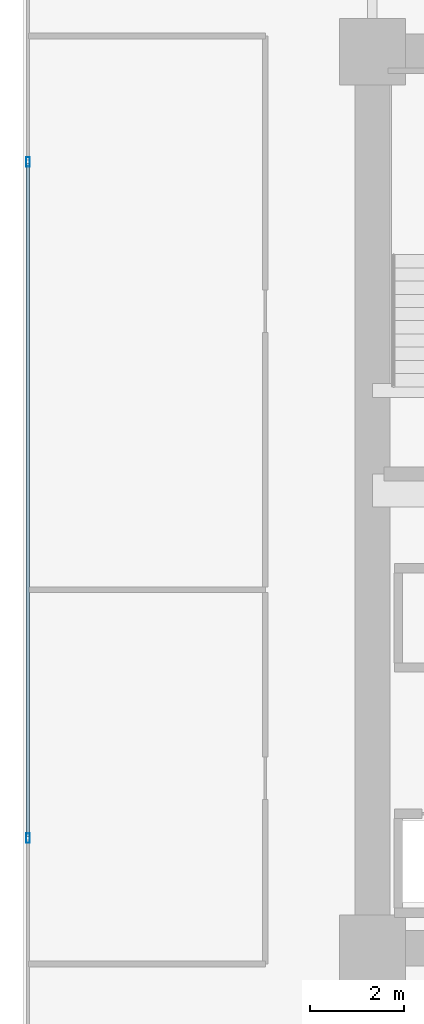
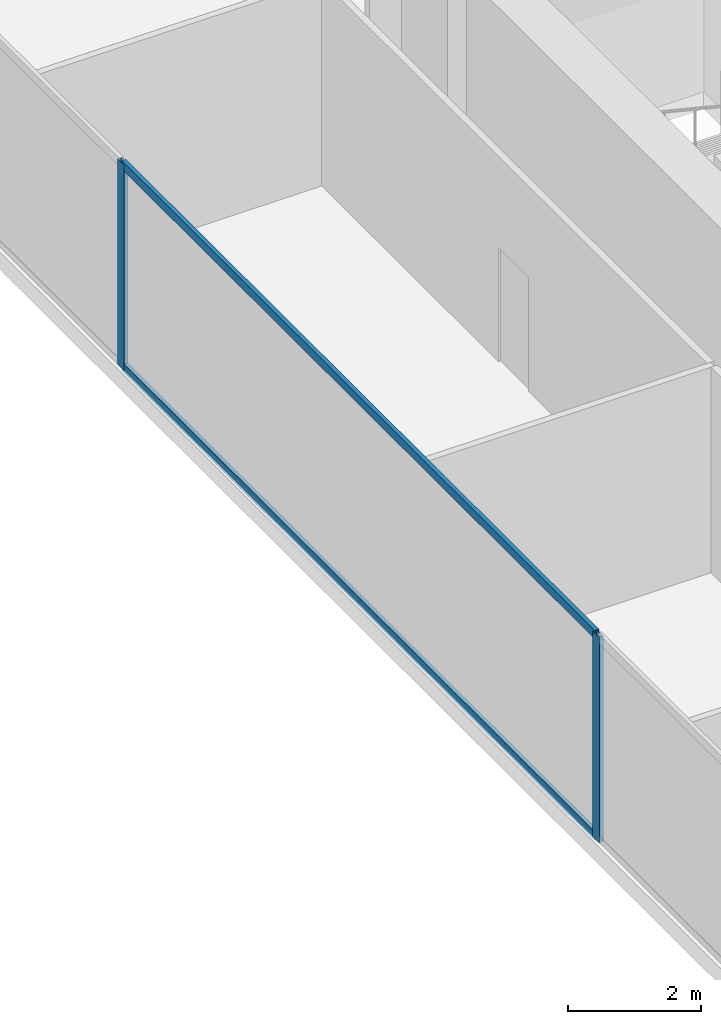
# One storey, part 6 of 36: 4 members, 1 element without a shape of its own.
"""IFC4 building model written with IfcOpenShell, lengths in metres."""

from ifc_helpers import new_model, si_unit, direction, frame, origin, origin_2d, place, context, subcontext, project, spatial, hollow_rectangle, extrude, source, transform, mapped, material, layer, layer_set, material_profile, profile_set, type_object, type_shapes, element, aggregate, save


model = new_model("IFC4")

# Units and contexts
model_context = context("Model", 3, precision=1e-05, world=origin(), true_north=direction((0.0, 1.0)))
body_context = subcontext(model_context, "Body", "Model", "MODEL_VIEW")
ifc_project = project(units=[si_unit("LENGTHUNIT", "METRE"), si_unit("AREAUNIT", "SQUARE_METRE"), si_unit("VOLUMEUNIT", "CUBIC_METRE"), si_unit("PLANEANGLEUNIT", "RADIAN"), si_unit("MASSUNIT", "GRAM", prefix="KILO")], contexts=[model_context])

# Site, building, storey
site_placement = place(None, origin())
site = spatial("IfcSite", under=ifc_project, at=site_placement, CompositionType="ELEMENT")
building_placement = place(site_placement, origin())
building = spatial("IfcBuilding", under=site, at=building_placement, Name="Haelvirn Gate Laboratories", CompositionType="ELEMENT")
storey_placement = place(building_placement, frame((0.0, 0.0, 29.300048828125)))
storey = spatial("IfcBuildingStorey", under=building, at=storey_placement, Name="L07", CompositionType="ELEMENT", Elevation=29.300048828125)

# Curtain wall, members
ifc_material_1 = material(Name="Anodised bronze unitised aluminium & triple low-E glass", Category="aluminium")
ifc_layer = layer(ifc_material_1, 0.18408203125, Name="CW-SYS-2")
ifc_layer_set = layer_set([ifc_layer], Name="Anodised bronze unitised aluminium & triple low-E glass")
curtain_wall_type = type_object("IfcCurtainWallType", Name="CW-SYS-2", PredefinedType="NOTDEFINED", material=ifc_layer_set)
curtain_wall_placement = place(storey_placement, origin())
curtain_wall = element("IfcCurtainWall", 1, at=curtain_wall_placement, inside=storey, type_object=curtain_wall_type, Name="L07 Unitised Curtain Wall CW-L07-P0-E17", PredefinedType="NOTDEFINED")
ifc_material_2 = material(Name="Extruded aluminium 6063-T6 (anodised bronze)", Category="aluminium")
ifc_material_profile_1 = material_profile(ifc_material_2, hollow_rectangle(XDim=0.074951171875, YDim=0.199951171875, WallThickness=0.0048828125, at=origin_2d()), Name="CWM-200x75x5")
ifc_profile_set_1 = profile_set([ifc_material_profile_1], Name="Extruded aluminium 6063-T6 (anodised bronze)")
member_type_1 = type_object("IfcMemberType", Name="CWM-T200", PredefinedType="MULLION", material=ifc_profile_set_1)
shared_shape_1 = source(origin(), body_context, "Body", "SweptSolid", [
    extrude(hollow_rectangle(XDim=0.074951171875, YDim=0.199951171875, WallThickness=0.0048828125, at=origin_2d()), origin(), (0.0, 0.0, 1.0), 3.780029296875),
])
type_shapes(member_type_1, [shared_shape_1])
member_1_placement = place(storey_placement, frame((0.10009765625, 31.466552734375, 0.0), z_axis=(0.0, 0.0, 1.0), x_axis=(1.0, 0.0, 0.0)))
member_1 = element("IfcMember", 2, at=member_1_placement, type_object=member_type_1, Name="CW2 mullion 2", PredefinedType="MULLION", context=body_context, shape_type="MappedRepresentation", body=[
    mapped(shared_shape_1, transform((0.0, 0.0, 0.0), scale=1.0)),
])
member_2_placement = place(storey_placement, frame((0.10009765625, 17.13330078125, 0.0), z_axis=(0.0, 0.0, 1.0), x_axis=(1.0, 0.0, 0.0)))
member_2 = element("IfcMember", 3, at=member_2_placement, type_object=member_type_1, Name="CW2 mullion 3", PredefinedType="MULLION", context=body_context, shape_type="MappedRepresentation", body=[
    mapped(shared_shape_1, transform((0.0, 0.0, 0.0), scale=1.0)),
])
ifc_material_profile_2 = material_profile(ifc_material_2, hollow_rectangle(XDim=0.070068359375, YDim=0.159912109375, WallThickness=0.0048828125, at=origin_2d()), Name="CWT-160x70x5")
ifc_profile_set_2 = profile_set([ifc_material_profile_2], Name="Extruded aluminium 6063-T6 (anodised bronze)")
member_type_2 = type_object("IfcMemberType", Name="CWT-T160", PredefinedType="USERDEFINED", material=ifc_profile_set_2)
shared_shape_2 = source(origin(), body_context, "Body", "SweptSolid", [
    extrude(hollow_rectangle(XDim=0.070068359375, YDim=0.159912109375, WallThickness=0.0048828125, at=origin_2d()), origin(), (0.0, 0.0, 1.0), 14.25830078125),
])
type_shapes(member_type_2, [shared_shape_2])
member_3_placement = place(storey_placement, frame((0.10009765625, 31.42919921875, 0.034912109375), z_axis=(0.0, -1.0, 0.0), x_axis=(1.0, 0.0, 0.0)))
member_3 = element("IfcMember", 4, at=member_3_placement, type_object=member_type_2, Name="CW2 transom 2.1", ObjectType="TRANSOM", PredefinedType="USERDEFINED", context=body_context, shape_type="MappedRepresentation", body=[
    mapped(shared_shape_2, transform((0.0, 0.0, 0.0), scale=1.0)),
])
member_4_placement = place(storey_placement, frame((0.10009765625, 31.42919921875, 3.744873046875), z_axis=(0.0, -1.0, 0.0), x_axis=(1.0, 0.0, 0.0)))
member_4 = element("IfcMember", 5, at=member_4_placement, type_object=member_type_2, Name="CW2 transom 2.2", ObjectType="TRANSOM", PredefinedType="USERDEFINED", context=body_context, shape_type="MappedRepresentation", body=[
    mapped(shared_shape_2, transform((0.0, 0.0, 0.0), scale=1.0)),
])
aggregate(curtain_wall, [member_1, member_2, member_3, member_4])

save(model, "model.ifc")
